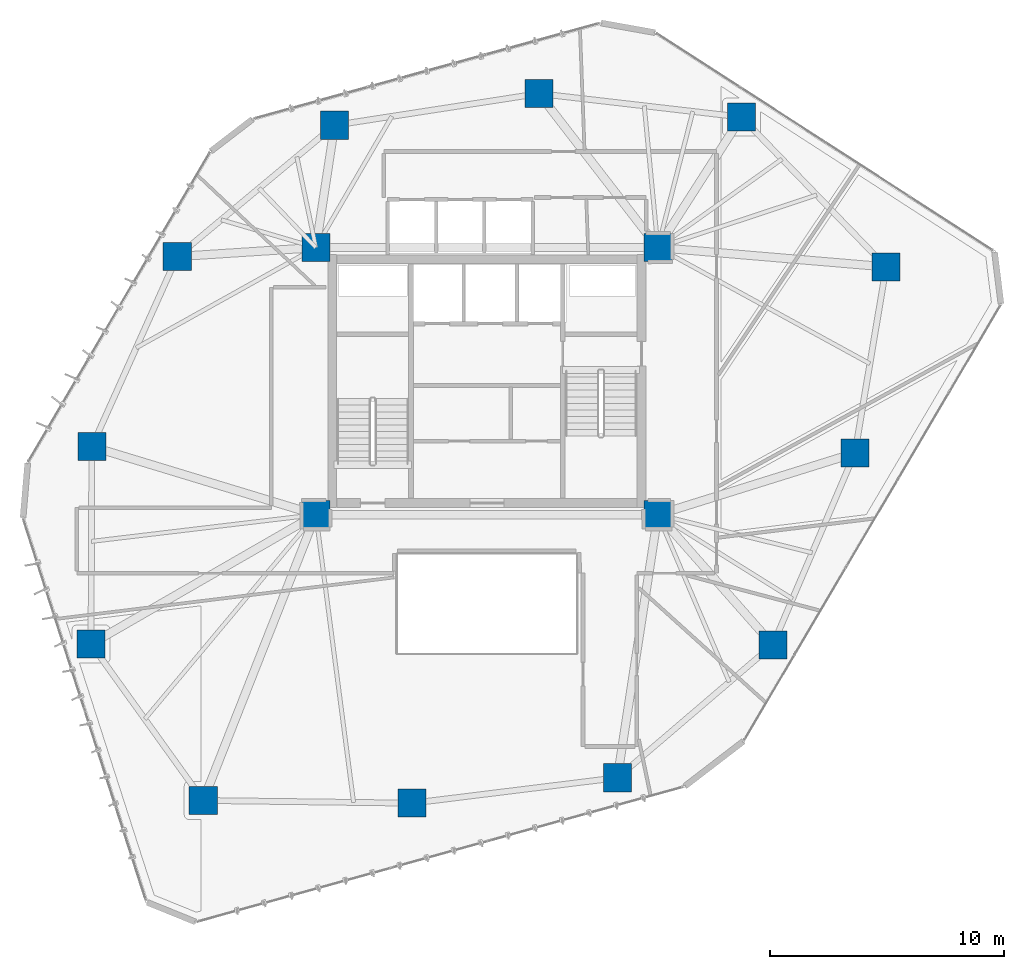
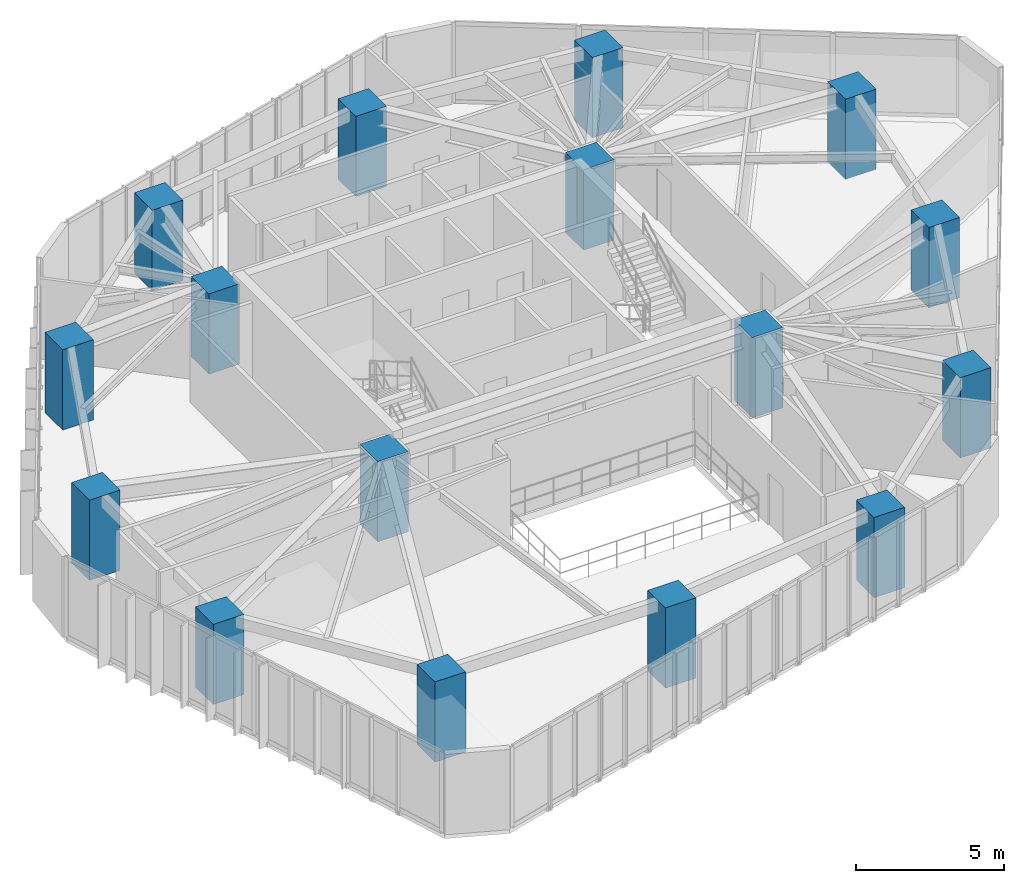
# One storey, part 1 of 20: 16 columns.
"""IFC4 building model written with IfcOpenShell, lengths in metres."""

import ifcopenshell
import ifcopenshell.guid

model = None  # the IFC model being written
_history = None  # IfcOwnerHistory: only IFC2X3 demands one
_inside = {}  # id of a spatial element -> (the spatial element, [elements in it])
_under = {}  # id of a project, library or spatial element -> (it, [spatial elements below it])
_declared = {}  # id of a project -> (the project, [libraries it declares])
_typed = {}  # id of a type object -> (the type object, [elements of that type])
_made_of = {}  # id of a material, layer set ... -> (it, [elements and type objects made of it])


def new_model(schema):
    """Start an empty IFC model of exactly this schema.

    Asked for "IFC4X3", IfcOpenShell would pick the latest addendum, in which some entities
    have other attributes; the version numbers below select the first issue.
    IFC2X3 requires an IfcOwnerHistory on every rooted entity: one is made here for all.
    """
    global model, _history
    if schema == "IFC4X3":
        model = ifcopenshell.file(schema_version=(4, 3, 0, 0))
    else:
        model = ifcopenshell.file(schema=schema)
    _inside.clear()
    _under.clear()
    _declared.clear()
    _typed.clear()
    _made_of.clear()
    _history = None
    if model.schema == "IFC2X3":
        org = make("IfcOrganization", Name="unknown")
        user = make(
            "IfcPersonAndOrganization",
            ThePerson=make("IfcPerson", FamilyName="unknown"),
            TheOrganization=org,
        )
        app = make(
            "IfcApplication",
            ApplicationDeveloper=org,
            Version="unknown",
            ApplicationFullName="unknown",
            ApplicationIdentifier="unknown",
        )
        _history = make(
            "IfcOwnerHistory",
            OwningUser=user,
            OwningApplication=app,
            ChangeAction="ADDED",
            CreationDate=0,
        )
    return model


def make(cls, **values):
    """One entity of the class cls with the attributes given. An attribute that is None is left unset."""
    return model.create_entity(
        cls, **{name: value for name, value in values.items() if value is not None}
    )


def rooted(cls, **values):
    """An entity with a GlobalId (a new one), such as an element, a storey or a relation."""
    return make(cls, GlobalId=ifcopenshell.guid.new(), OwnerHistory=_history, **values)


def si_unit(unit_type, name, prefix=None):
    """IfcSIUnit, for example si_unit("LENGTHUNIT", "METRE", prefix="MILLI")."""
    return make("IfcSIUnit", UnitType=unit_type, Prefix=prefix, Name=name)


def assignment(units):
    """IfcUnitAssignment: the units of a project."""
    return None if units is None else make("IfcUnitAssignment", Units=units)


def point(xyz):
    """IfcCartesianPoint."""
    return None if xyz is None else make("IfcCartesianPoint", Coordinates=xyz)


def direction(xyz):
    """IfcDirection."""
    return None if xyz is None else make("IfcDirection", DirectionRatios=xyz)


def frame(location, z_axis=None, x_axis=None):
    """IfcAxis2Placement3D, a coordinate frame: its origin and axes. An axis left out is left unset."""
    return make(
        "IfcAxis2Placement3D",
        Location=point(location),
        Axis=direction(z_axis),
        RefDirection=direction(x_axis),
    )


def frame_2d(location, x_axis=None):
    """IfcAxis2Placement2D, a coordinate frame in the plane: its origin and x axis."""
    return make(
        "IfcAxis2Placement2D", Location=point(location), RefDirection=direction(x_axis)
    )


def origin():
    """The frame at (0, 0, 0) with its axes left unset."""
    return frame((0.0, 0.0, 0.0))


def origin_2d():
    """The frame at (0, 0) in the plane with its x axis left unset."""
    return frame_2d((0.0, 0.0))


def place(relative_to, where):
    """IfcLocalPlacement: puts the frame where relative to a parent placement (None: the world)."""
    return make(
        "IfcLocalPlacement", PlacementRelTo=relative_to, RelativePlacement=where
    )


def context(
    kind, dimensions, precision=None, world=None, true_north=None, identifier=None
):
    """IfcGeometricRepresentationContext, for example the 3D "Model" context."""
    return make(
        "IfcGeometricRepresentationContext",
        ContextIdentifier=identifier,
        ContextType=kind,
        CoordinateSpaceDimension=dimensions,
        Precision=precision,
        WorldCoordinateSystem=world,
        TrueNorth=true_north,
    )


def subcontext(parent, identifier, kind, view, scale=None):
    """IfcGeometricRepresentationSubContext, for example "Body" below "Model"."""
    return make(
        "IfcGeometricRepresentationSubContext",
        ContextIdentifier=identifier,
        ContextType=kind,
        ParentContext=parent,
        TargetScale=scale,
        TargetView=view,
    )


def project(units=None, contexts=None):
    """IfcProject with its units and contexts."""
    return rooted(
        "IfcProject",
        Name="project",
        RepresentationContexts=contexts,
        UnitsInContext=assignment(units),
    )


def spatial(cls, under=None, at=None, **own):
    """A site, building, storey or space (cls), placed at a placement, below another one or the project."""
    s = rooted(cls, ObjectPlacement=at, **own)
    if under is not None:
        _under.setdefault(under.id(), (under, []))[1].append(s)
    return s


def profile(cls, at=None, kind="AREA", **sizes):
    """A parametric profile (cls). Its sizes go by their IFC names, for example OverallWidth=200.0."""
    return make(cls, ProfileType=kind, Position=at, **sizes)


def rectangle(**sizes):
    """IfcRectangleProfileDef."""
    return profile("IfcRectangleProfileDef", **sizes)


def extrude(swept, where, along, depth):
    """IfcExtrudedAreaSolid: the profile swept, set in the frame where, extruded along a direction by depth."""
    return make(
        "IfcExtrudedAreaSolid",
        SweptArea=swept,
        Position=where,
        ExtrudedDirection=direction(along),
        Depth=depth,
    )


def shape(context_of_items, identifier, shape_type, items):
    """IfcShapeRepresentation: the items that make up one representation, for example the "Body"."""
    return make(
        "IfcShapeRepresentation",
        ContextOfItems=context_of_items,
        RepresentationIdentifier=identifier,
        RepresentationType=shape_type,
        Items=items,
    )


def material(Name=None, Category=None):
    """IfcMaterial."""
    return make("IfcMaterial", Name=Name, Category=Category)


def material_profile(
    of_material, cross_section, Name=None, Category=None, Priority=None
):
    """IfcMaterialProfile: a cross section and its material."""
    return make(
        "IfcMaterialProfile",
        Name=Name,
        Material=of_material,
        Profile=cross_section,
        Priority=Priority,
        Category=Category,
    )


def profile_set(profiles, Name=None, composite=None):
    """IfcMaterialProfileSet."""
    return make(
        "IfcMaterialProfileSet",
        Name=Name,
        MaterialProfiles=profiles,
        CompositeProfile=composite,
    )


def made_of(thing, what):
    """Note that an element or type object is made of a material, layer set ...; save() writes the relation."""
    if what is not None:
        _made_of.setdefault(what.id(), (what, []))[1].append(thing)
    return thing


def type_object(cls, material=None, **own):
    """A type object (cls), such as IfcWallType, which elements share."""
    return made_of(rooted(cls, **own), material)


def element(
    cls,
    number,
    at=None,
    inside=None,
    cuts=None,
    type_object=None,
    material=None,
    context=None,
    identifier="Body",
    shape_type=None,
    held_by="IfcProductDefinitionShape",
    body=None,
    shapes=None,
    **own,
):
    """One element of the class cls, such as IfcWall. Its Tag is "e" and its number.

    at: its placement. inside: the storey or other place that contains it. cuts: it is an
    opening in that element (IfcRelVoidsElement). A single representation is given by context,
    identifier, shape_type and body (its items); several are given by shapes. held_by: the class
    of the entity that holds the representations. save() writes the other relations.
    """
    e = rooted(cls, Tag="e%d" % number, ObjectPlacement=at, **own)
    if body is not None:
        shapes = [shape(context, identifier, shape_type, body)]
    if shapes is not None:
        e.Representation = make(held_by, Representations=shapes)
    if inside is not None:
        _inside.setdefault(inside.id(), (inside, []))[1].append(e)
    if cuts is not None:
        rooted(
            "IfcRelVoidsElement", RelatingBuildingElement=cuts, RelatedOpeningElement=e
        )
    if type_object is not None:
        _typed.setdefault(type_object.id(), (type_object, []))[1].append(e)
    return made_of(e, material)


def aggregate(whole, parts):
    """IfcRelAggregates: a whole, such as a stair, and the parts it consists of."""
    return rooted("IfcRelAggregates", RelatingObject=whole, RelatedObjects=parts)


def save(model, path):
    """Write the relations noted so far, then the file.

    IfcRelAggregates (storeys below a building ...), IfcRelContainedInSpatialStructure (elements
    in a storey), IfcRelDefinesByType, IfcRelAssociatesMaterial and IfcRelDeclares: one each for
    every whole, place, type object, material and project.
    """
    for whole, parts in _under.values():
        aggregate(whole, parts)
    for where, things in _inside.values():
        rooted(
            "IfcRelContainedInSpatialStructure",
            RelatedElements=things,
            RelatingStructure=where,
        )
    for kind, things in _typed.values():
        rooted("IfcRelDefinesByType", RelatedObjects=things, RelatingType=kind)
    for what, things in _made_of.values():
        rooted("IfcRelAssociatesMaterial", RelatedObjects=things, RelatingMaterial=what)
    for by, libraries in _declared.values():
        rooted("IfcRelDeclares", RelatingContext=by, RelatedDefinitions=libraries)
    model.write(path)


model = new_model("IFC4")

# Units and contexts
model_context = context("Model", 3, precision=1e-05, world=origin(), true_north=direction((0.0, 1.0)))
body_context = subcontext(model_context, "Body", "Model", "MODEL_VIEW")
ifc_project = project(units=[si_unit("LENGTHUNIT", "METRE"), si_unit("AREAUNIT", "SQUARE_METRE"), si_unit("VOLUMEUNIT", "CUBIC_METRE"), si_unit("PLANEANGLEUNIT", "RADIAN"), si_unit("MASSUNIT", "GRAM", prefix="KILO")], contexts=[model_context])

# Site, building, storey
site_placement = place(None, origin())
site = spatial("IfcSite", under=ifc_project, at=site_placement, CompositionType="ELEMENT")
building_placement = place(site_placement, origin())
building = spatial("IfcBuilding", under=site, at=building_placement, Name="Talar Marvaseh", CompositionType="ELEMENT")
storey_placement = place(building_placement, frame((0.0, 0.0, 136.199951171875)))
storey = spatial("IfcBuildingStorey", under=building, at=storey_placement, Name="L35", CompositionType="ELEMENT", Elevation=136.199951171875)

# Columns
ifc_material = material(Name="Concrete C60/75", Category="concrete")
ifc_material_profile = material_profile(ifc_material, rectangle(XDim=1.199951171875, YDim=1.199951171875, at=origin_2d()), Name="RC1200x1200")
ifc_profile_set = profile_set([ifc_material_profile], Name="Concrete C60/75")
column_type = type_object("IfcColumnType", Name="Zone 2 Tube Column RC1200x1200", PredefinedType="COLUMN", material=ifc_profile_set)
for number, where, z_axis, x_axis, name in (
    (1, (36.865966796875, 42.470947265625, 0.0), (0.0, 0.0, 1.0), (1.0, 0.0, 0.0), "L35 Zone 2 Tube Column RC1200x1200"),
    (2, (43.0439453125, 36.075927734375, 0.0), (0.0, 0.0, 1.0), (1.0, 0.0, 0.0), "L35 Zone 2 Tube Column RC1200x1200"),
    (3, (41.708984375, 28.1279296875, 0.0), (0.0, 0.0, 1.0), (1.0, 0.0, 0.0), "L35 Zone 2 Tube Column RC1200x1200"),
    (4, (38.2060546875, 19.94091796875, 0.0), (0.0, 0.0, 1.0), (1.0, 0.0, 0.0), "L35 Zone 2 Tube Column RC1200x1200"),
    (5, (31.570068359375, 14.26806640625, 0.0), (0.0, 0.0, 1.0), (1.0, 0.0, 0.0), "L35 Zone 2 Tube Column RC1200x1200"),
    (6, (22.804931640625, 13.18310546875, 0.0), (0.0, 0.0, 1.0), (1.0, 0.0, 0.0), "L35 Zone 2 Tube Column RC1200x1200"),
    (7, (13.89111328125, 13.299072265625, 0.0), (0.0, 0.0, 1.0), (1.0, 0.0, 0.0), "L35 Zone 2 Tube Column RC1200x1200"),
    (8, (9.10107421875, 19.97705078125, 0.0), (0.0, 0.0, 1.0), (1.0, 0.0, 0.0), "L35 Zone 2 Tube Column RC1200x1200"),
    (9, (9.137939453125, 28.402099609375, 0.0), (0.0, 0.0, 1.0), (1.0, 0.0, 0.0), "L35 Zone 2 Tube Column RC1200x1200"),
    (10, (12.780029296875, 36.51708984375, 0.0), (0.0, 0.0, 1.0), (1.0, 0.0, 0.0), "L35 Zone 2 Tube Column RC1200x1200"),
    (11, (19.5009765625, 42.123046875, 0.0), (0.0, 0.0, 1.0), (1.0, 0.0, 0.0), "L35 Zone 2 Tube Column RC1200x1200"),
    (12, (28.221923828125, 43.471923828125, 0.0), (0.0, 0.0, 1.0), (1.0, 0.0, 0.0), "L35 Zone 2 Tube Column RC1200x1200"),
    (13, (18.699951171875, 25.5, 0.0), (0.0, 0.0, 1.0), (1.0, 0.0, 0.0), "L35 Zone 2 Tube Column RC1200x1200"),
    (14, (33.300048828125, 25.5, 0.0), (0.0, 0.0, 1.0), (1.0, 0.0, 0.0), "L35 Zone 2 Tube Column RC1200x1200"),
    (15, (33.300048828125, 36.89990234375, 0.0), (0.0, 0.0, 1.0), (1.0, 0.0, 0.0), "L35 Zone 2 Tube Column RC1200x1200"),
    (16, (18.699951171875, 36.89990234375, 0.0), (0.0, 0.0, 1.0), (1.0, 0.0, 0.0), "L35 Zone 2 Tube Column RC1200x1200"),
):
    element("IfcColumn", number, at=place(storey_placement, frame(where, z_axis=z_axis, x_axis=x_axis)), inside=storey, type_object=column_type, Name=name, PredefinedType="COLUMN", context=body_context, shape_type="SweptSolid", body=[
        extrude(rectangle(XDim=1.199951171875, YDim=1.199951171875, at=origin_2d()), origin(), (0.0, 0.0, 1.0), 3.31005859375),
    ])

save(model, "model.ifc")
